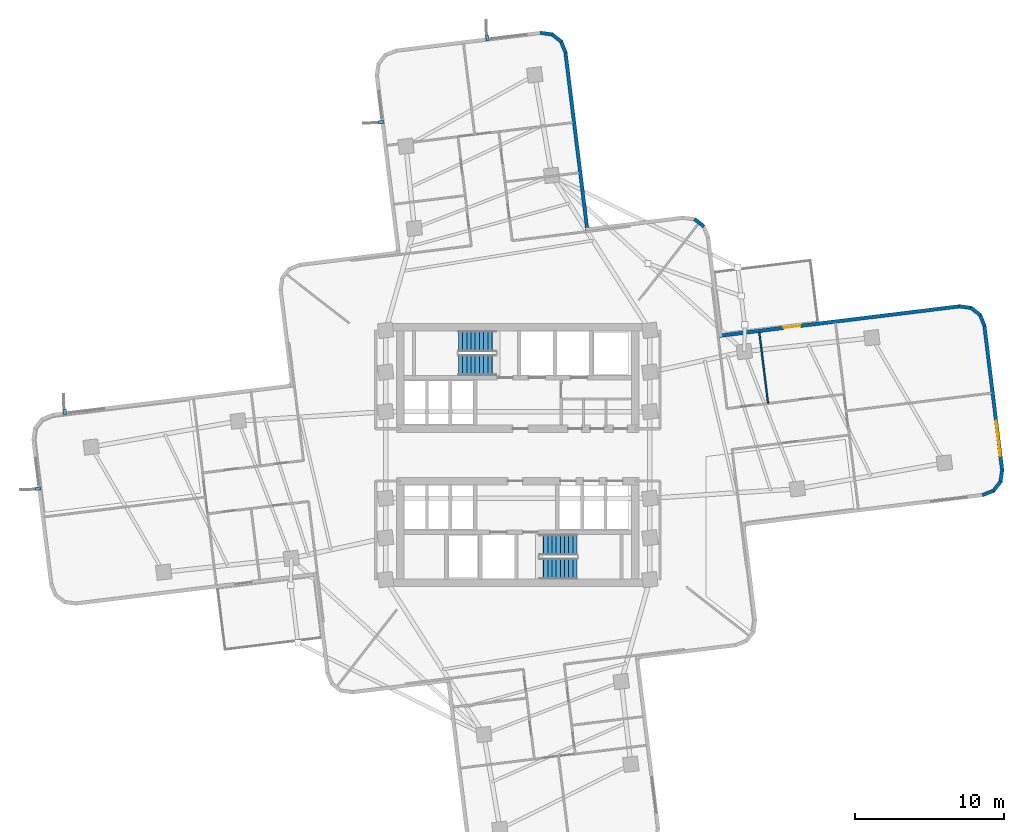
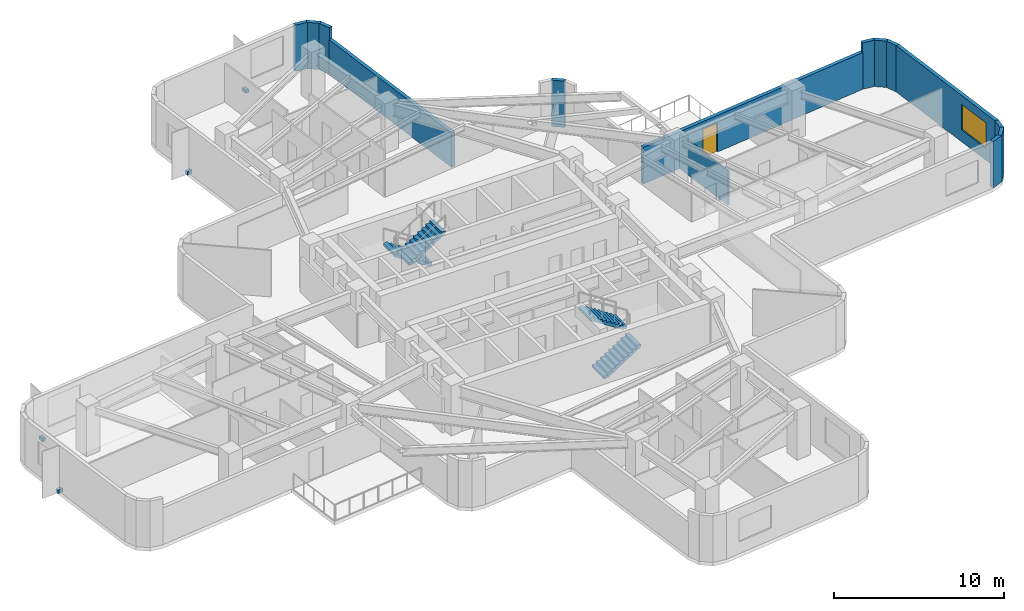
# One storey, part 6 of 9: 14 walls, 4 discrete accessories, 4 stair flights, 1 door, 1 window, 2 openings, 2 elements without a shape of their own.
"""IFC4 building model written with IfcOpenShell, lengths in metres."""

from ifc_helpers import new_model, si_unit, direction, frame, frame_2d, origin, origin_2d, place, context, subcontext, project, spatial, polyline, rectangle, outline, extrude, material, layer, layer_set, type_object, element, fill, aggregate, save


model = new_model("IFC4")

# Units and contexts
model_context = context("Model", 3, precision=1e-05, world=origin(), true_north=direction((0.0, 1.0)))
body_context = subcontext(model_context, "Body", "Model", "MODEL_VIEW")
ifc_project = project(units=[si_unit("LENGTHUNIT", "METRE"), si_unit("AREAUNIT", "SQUARE_METRE"), si_unit("VOLUMEUNIT", "CUBIC_METRE"), si_unit("PLANEANGLEUNIT", "RADIAN"), si_unit("MASSUNIT", "GRAM", prefix="KILO")], contexts=[model_context])

# Site, building, storey
site_placement = place(None, origin())
site = spatial("IfcSite", under=ifc_project, at=site_placement, CompositionType="ELEMENT")
building_placement = place(site_placement, origin())
building = spatial("IfcBuilding", under=site, at=building_placement, Name="Solmarez Civic Tower", CompositionType="ELEMENT")
storey_placement = place(building_placement, frame((0.0, 0.0, 78.47998046875)))
storey = spatial("IfcBuildingStorey", under=building, at=storey_placement, Name="L20", CompositionType="ELEMENT", Elevation=78.47998046875)

# Walls
ifc_material_1 = material(Name="Precast concrete C40/50", Category="concrete")
ifc_layer_1 = layer(ifc_material_1, 0.239990234375)
ifc_layer_set_1 = layer_set([ifc_layer_1], Name="Precast concrete C40/50")
wall_type_1 = type_object("IfcWallType", Name="WALL-EXT-240", PredefinedType="SOLIDWALL", material=ifc_layer_set_1)
wall_1_placement = place(storey_placement, frame((1.50390625, 28.280029296875, 0.0), z_axis=(0.0, 0.0, 1.0), x_axis=(0.990540037659, -0.137224027762, 0.0)))
element("IfcWall", 1, at=wall_1_placement, inside=storey, type_object=wall_type_1, Name="L20 Exterior Precast Wall 25", PredefinedType="SOLIDWALL", context=body_context, shape_type="SweptSolid", body=[
    extrude(rectangle(XDim=0.830810546875, YDim=0.239990234375, at=frame_2d((0.41552734375, 0.0))), origin(), (0.0, 0.0, 1.0), 3.340087890625),
])
wall_2_placement = place(storey_placement, frame((2.281982421875, 28.18408203125, 0.0), z_axis=(0.0, 0.0, 1.0), x_axis=(0.788415071083, -0.615143622001, 0.0)))
element("IfcWall", 2, at=wall_2_placement, inside=storey, type_object=wall_type_1, Name="L20 Exterior Precast Wall 26", PredefinedType="SOLIDWALL", context=body_context, shape_type="SweptSolid", body=[
    extrude(rectangle(XDim=0.814453125, YDim=0.239990234375, at=frame_2d((0.4072265625, 0.0))), origin(), (0.0, 0.0, 1.0), 3.340087890625),
])
wall_3_placement = place(storey_placement, frame((2.89501953125, 27.720947265625, 0.0), z_axis=(0.0, 0.0, 1.0), x_axis=(0.373927487679, -0.927457941881, 0.0)))
element("IfcWall", 3, at=wall_3_placement, inside=storey, type_object=wall_type_1, Name="L20 Exterior Precast Wall 27", PredefinedType="SOLIDWALL", context=body_context, shape_type="SweptSolid", body=[
    extrude(rectangle(XDim=0.8291015625, YDim=0.239990234375, at=frame_2d((0.41455078125, 0.0))), origin(), (0.0, 0.0, 1.0), 3.340087890625),
])
wall_4_placement = place(storey_placement, frame((3.193115234375, 27.0, 0.0), z_axis=(0.0, 0.0, 1.0), x_axis=(0.12189689255, -0.992542768644, 0.0)))
element("IfcWall", 4, at=wall_4_placement, inside=storey, type_object=wall_type_1, Name="L20 Exterior Precast Wall 28", PredefinedType="SOLIDWALL", context=body_context, shape_type="SweptSolid", body=[
    extrude(rectangle(XDim=12.0751953125, YDim=0.239990234375, at=frame_2d((6.03759765625, 0.0))), origin(), (0.0, 0.0, 1.0), 2.486083984375),
])
wall_5_placement = place(storey_placement, frame((11.83203125, 15.804931640625, 0.0), z_axis=(0.0, 0.0, 1.0), x_axis=(0.788996702001, -0.614397431824, 0.0)))
element("IfcWall", 5, at=wall_5_placement, inside=storey, type_object=wall_type_1, Name="L20 Exterior Precast Wall 33", PredefinedType="SOLIDWALL", context=body_context, shape_type="SweptSolid", body=[
    extrude(rectangle(XDim=0.813720703125, YDim=0.239990234375, at=frame_2d((0.40673828125, 0.0))), origin(), (0.0, 0.0, 1.0), 3.340087890625),
])

# Wall, opening, door
wall_6_placement = place(storey_placement, frame((13.4619140625, 7.97998046875, 0.0), z_axis=(0.0, 0.0, 1.0), x_axis=(0.992550299081, 0.121835560463, 0.0)))
wall_6 = element("IfcWall", 6, at=wall_6_placement, inside=storey, type_object=wall_type_1, Name="L20 Exterior Precast Wall 38", PredefinedType="SOLIDWALL", context=body_context, shape_type="SweptSolid", body=[
    extrude(rectangle(XDim=16.275390625, YDim=0.239990234375, at=frame_2d((8.1376953125, 0.0))), origin(), (0.0, 0.0, 1.0), 2.64404296875),
])
opening_1_placement = place(wall_6_placement, frame((4.39990234375, 0.0, 0.0)))
opening_1 = element("IfcOpeningElement", 7, at=opening_1_placement, cuts=wall_6, Name="Opening D-06", PredefinedType="OPENING", context=body_context, shape_type="SweptSolid", body=[
    extrude(rectangle(XDim=1.10009765625, YDim=2.10009765625, at=frame_2d((0.550048828125, 1.050048828125))), frame((0.0, 0.1298828125, 0.0), z_axis=(0.0, -1.0, 0.0), x_axis=(1.0, 0.0, 0.0)), (0.0, 0.0, 1.0), 0.260009765625),
])
ifc_material_2 = material(Name="Bronze Anodised Aluminium Glazed Terrace Door", Category="aluminium")
door_type = type_object("IfcDoorType", Name="DOOR-TERR-1100", OperationType="NOTDEFINED", PredefinedType="DOOR", material=ifc_material_2)
door_placement = place(opening_1_placement, origin())
door = element("IfcDoor", 8, at=door_placement, inside=storey, type_object=door_type, Name="L20 Outdoor Terrace Glazed Door", OperationType="SINGLE_SWING_RIGHT", OverallHeight=2.10009765625, OverallWidth=1.10009765625, PredefinedType="DOOR", context=body_context, shape_type="SweptSolid", body=[
    extrude(rectangle(XDim=1.10009765625, YDim=2.10009765625, at=frame_2d((0.550048828125, 1.050048828125))), frame((0.0, 0.02490234375, 0.0), z_axis=(0.0, -1.0, 0.0), x_axis=(1.0, 0.0, 0.0)), (0.0, 0.0, 1.0), 0.050048828125),
])
fill(opening_1, door)

# Walls
wall_7_placement = place(storey_placement, frame((29.56591796875, 9.962890625, 0.0), z_axis=(0.0, 0.0, 1.0), x_axis=(0.990579937989, -0.136935701899, 0.0)))
element("IfcWall", 9, at=wall_7_placement, inside=storey, type_object=wall_type_1, Name="L20 Exterior Precast Wall 39", PredefinedType="SOLIDWALL", context=body_context, shape_type="SweptSolid", body=[
    extrude(rectangle(XDim=0.830810546875, YDim=0.239990234375, at=frame_2d((0.41552734375, 0.0))), origin(), (0.0, 0.0, 1.0), 3.340087890625),
])
wall_8_placement = place(storey_placement, frame((30.343994140625, 9.866943359375, 0.0), z_axis=(0.0, 0.0, 1.0), x_axis=(0.788996702001, -0.614397431824, 0.0)))
element("IfcWall", 10, at=wall_8_placement, inside=storey, type_object=wall_type_1, Name="L20 Exterior Precast Wall 40", PredefinedType="SOLIDWALL", context=body_context, shape_type="SweptSolid", body=[
    extrude(rectangle(XDim=0.813720703125, YDim=0.239990234375, at=frame_2d((0.40673828125, 0.0))), origin(), (0.0, 0.0, 1.0), 3.340087890625),
])
wall_9_placement = place(storey_placement, frame((30.95703125, 9.405029296875, 0.0), z_axis=(0.0, 0.0, 1.0), x_axis=(0.373519459995, -0.927622343955, 0.0)))
element("IfcWall", 11, at=wall_9_placement, inside=storey, type_object=wall_type_1, Name="L20 Exterior Precast Wall 41", PredefinedType="SOLIDWALL", context=body_context, shape_type="SweptSolid", body=[
    extrude(rectangle(XDim=0.830078125, YDim=0.239990234375, at=frame_2d((0.4150390625, 0.0))), origin(), (0.0, 0.0, 1.0), 3.340087890625),
])

# Wall, opening, window
wall_10_placement = place(storey_placement, frame((31.2548828125, 8.68310546875, 0.0), z_axis=(0.0, 0.0, 1.0), x_axis=(0.12185728374, -0.992547632308, 0.0)))
wall_10 = element("IfcWall", 12, at=wall_10_placement, inside=storey, type_object=wall_type_1, Name="L20 Exterior Precast Wall 42", PredefinedType="SOLIDWALL", context=body_context, shape_type="SweptSolid", body=[
    extrude(rectangle(XDim=9.799072265625, YDim=0.239990234375, at=frame_2d((4.8994140625, 0.0))), origin(), (0.0, 0.0, 1.0), 3.340087890625),
])
opening_2_placement = place(wall_10_placement, frame((6.443115234375, 0.0, 0.85009765625)))
opening_2 = element("IfcOpeningElement", 13, at=opening_2_placement, cuts=wall_10, Name="Opening W-06", PredefinedType="OPENING", context=body_context, shape_type="SweptSolid", body=[
    extrude(rectangle(XDim=2.39990234375, YDim=1.85009765625, at=frame_2d((1.199951171875, 0.925048828125))), frame((0.0, 0.1298828125, 0.0), z_axis=(0.0, -1.0, 0.0), x_axis=(1.0, 0.0, 0.0)), (0.0, 0.0, 1.0), 0.260009765625),
])
ifc_material_3 = material(Name="Solar Control Bronze-Tinted Insulating Glass", Category="glass")
window_type = type_object("IfcWindowType", Name="WIN-2400X1850", PartitioningType="SINGLE_PANEL", PredefinedType="WINDOW", material=ifc_material_3)
window_placement = place(opening_2_placement, origin())
window = element("IfcWindow", 14, at=window_placement, inside=storey, type_object=window_type, Name="L20 Exterior Facade Window 42", OverallHeight=1.85009765625, OverallWidth=2.39990234375, PartitioningType="SINGLE_PANEL", PredefinedType="WINDOW", context=body_context, shape_type="SweptSolid", body=[
    extrude(rectangle(XDim=2.39990234375, YDim=1.85009765625, at=frame_2d((1.199951171875, 0.925048828125))), frame((0.0, 0.030029296875, 0.0), z_axis=(0.0, -1.0, 0.0), x_axis=(1.0, 0.0, 0.0)), (0.0, 0.0, 1.0), 0.06005859375),
])
fill(opening_2, window)

# Walls
wall_11_placement = place(storey_placement, frame((32.448974609375, -0.992919921875, 0.0), z_axis=(0.0, 0.0, 1.0), x_axis=(-0.138538220487, -0.990357087855, 0.0)))
element("IfcWall", 15, at=wall_11_placement, inside=storey, type_object=wall_type_1, Name="L20 Exterior Precast Wall 43", PredefinedType="SOLIDWALL", context=body_context, shape_type="SweptSolid", body=[
    extrude(rectangle(XDim=0.830078125, YDim=0.239990234375, at=frame_2d((0.4150390625, 0.0))), origin(), (0.0, 0.0, 1.0), 3.340087890625),
])
wall_12_placement = place(storey_placement, frame((32.35205078125, -1.77001953125, 0.0), z_axis=(0.0, 0.0, 1.0), x_axis=(-0.614397431824, -0.788996702001, 0.0)))
element("IfcWall", 16, at=wall_12_placement, inside=storey, type_object=wall_type_1, Name="L20 Exterior Precast Wall 44", PredefinedType="SOLIDWALL", context=body_context, shape_type="SweptSolid", body=[
    extrude(rectangle(XDim=0.813720703125, YDim=0.239990234375, at=frame_2d((0.40673828125, 0.0))), origin(), (0.0, 0.0, 1.0), 3.340087890625),
])
wall_13_placement = place(storey_placement, frame((31.889892578125, -2.383056640625, 0.0), z_axis=(0.0, 0.0, 1.0), x_axis=(-0.927007742151, -0.375042192283, 0.0)))
element("IfcWall", 17, at=wall_13_placement, inside=storey, type_object=wall_type_1, Name="L20 Exterior Precast Wall 45", PredefinedType="SOLIDWALL", context=body_context, shape_type="SweptSolid", body=[
    extrude(rectangle(XDim=0.829345703125, YDim=0.239990234375, at=frame_2d((0.41455078125, 0.0))), origin(), (0.0, 0.0, 1.0), 3.340087890625),
])
ifc_material_4 = material(Name="Gypsum Board Acoustic Steel-Stud Partition", Category="steel")
ifc_layer_2 = layer(ifc_material_4, 0.10009765625)
ifc_layer_set_2 = layer_set([ifc_layer_2], Name="Gypsum Board Acoustic Steel-Stud Partition")
wall_type_2 = type_object("IfcWallType", Name="WALL-INT-PART-100", PredefinedType="PARTITIONING", material=ifc_layer_set_2)
wall_14_placement = place(storey_placement, frame((16.761962890625, 3.468994140625, 0.0), z_axis=(0.0, 0.0, 1.0), x_axis=(-0.121797137196, 0.992555014783, 0.0)))
element("IfcWall", 18, at=wall_14_placement, inside=storey, type_object=wall_type_2, Name="L20 Interior Partition PT-L20-E-LM", PredefinedType="PARTITIONING", context=body_context, shape_type="SweptSolid", body=[
    extrude(rectangle(XDim=4.794677734375, YDim=0.10009765625, at=frame_2d((2.3974609375, 0.0))), origin(), (0.0, 0.0, 1.0), 2.486083984375),
])

# Stair, stair flights
ifc_material_5 = material(Name="Concrete C50/60", Category="concrete")
stair_type = type_object("IfcStairType", Name="STAIR-DOGLEG-140W-20R-1800", PredefinedType="HALF_TURN_STAIR", material=ifc_material_5)
stair_1_placement = place(storey_placement, origin())
stair_1 = element("IfcStair", 19, at=stair_1_placement, inside=storey, type_object=stair_type, Name="L20 North Core Protected Exit Stair ST-1", PredefinedType="HALF_TURN_STAIR")
stair_flight_type = type_object("IfcStairFlightType", Name="FLIGHT-DOGLEG-140W-10R-1800", PredefinedType="STRAIGHT", material=ifc_material_5)
stair_flight_1_placement = place(storey_placement, frame((-1.449951171875, 7.6201171875, 0.0), z_axis=(0.0, 0.0, 1.0), x_axis=(-1.0, 0.0, 0.0)))
stair_flight_1 = element("IfcStairFlight", 20, at=stair_flight_1_placement, type_object=stair_flight_type, Name="ST-1 flight 1", NumberOfRisers=10, NumberOfTreads=9, PredefinedType="STRAIGHT", RiserHeight=0.18, TreadLength=0.28, context=body_context, shape_type="SweptSolid", body=[
    extrude(outline(polyline([(0.0, 0.0), (0.0, 0.179931640625), (0.280029296875, 0.179931640625), (0.280029296875, 0.360107421875), (0.56005859375, 0.360107421875), (0.56005859375, 0.5400390625), (0.840087890625, 0.5400390625), (0.840087890625, 0.719970703125), (1.1201171875, 0.719970703125), (1.1201171875, 0.89990234375), (1.39990234375, 0.89990234375), (1.39990234375, 1.080078125), (1.679931640625, 1.080078125), (1.679931640625, 1.260009765625), (1.9599609375, 1.260009765625), (1.9599609375, 1.43994140625), (2.239990234375, 1.43994140625), (2.239990234375, 1.6201171875), (2.52001953125, 1.6201171875), (2.52001953125, 1.800048828125), (2.52001953125, 1.429931640625), (0.295654296875, 0.0), (0.0, 0.0)])), frame((0.0, 0.699951171875, 0.0), z_axis=(0.0, -1.0, 0.0), x_axis=(1.0, 0.0, 0.0)), (0.0, 0.0, 1.0), 1.39990234375),
])
stair_flight_2_placement = place(storey_placement, frame((-3.969970703125, 6.02001953125, 1.800048828125), z_axis=(0.0, 0.0, 1.0), x_axis=(1.0, 0.0, 0.0)))
stair_flight_2 = element("IfcStairFlight", 21, at=stair_flight_2_placement, type_object=stair_flight_type, Name="ST-1 flight 2", NumberOfRisers=10, NumberOfTreads=9, PredefinedType="STRAIGHT", RiserHeight=0.18, TreadLength=0.28, context=body_context, shape_type="SweptSolid", body=[
    extrude(outline(polyline([(0.0, 0.0), (0.0, 0.179931640625), (0.280029296875, 0.179931640625), (0.280029296875, 0.360107421875), (0.56005859375, 0.360107421875), (0.56005859375, 0.5400390625), (0.840087890625, 0.5400390625), (0.840087890625, 0.719970703125), (1.1201171875, 0.719970703125), (1.1201171875, 0.89990234375), (1.39990234375, 0.89990234375), (1.39990234375, 1.080078125), (1.679931640625, 1.080078125), (1.679931640625, 1.260009765625), (1.9599609375, 1.260009765625), (1.9599609375, 1.43994140625), (2.239990234375, 1.43994140625), (2.239990234375, 1.6201171875), (2.52001953125, 1.6201171875), (2.52001953125, 1.800048828125), (2.52001953125, 1.429931640625), (0.295654296875, 0.0), (0.0, 0.0)])), frame((0.0, 0.699951171875, 0.0), z_axis=(0.0, -1.0, 0.0), x_axis=(1.0, 0.0, 0.0)), (0.0, 0.0, 1.0), 1.39990234375),
])
aggregate(stair_1, [stair_flight_1, stair_flight_2])

stair_2_placement = place(storey_placement, origin())
stair_2 = element("IfcStair", 22, at=stair_2_placement, inside=storey, type_object=stair_type, Name="L20 South Core Protected Exit Stair ST-2", PredefinedType="HALF_TURN_STAIR")
stair_flight_3_placement = place(storey_placement, frame((1.449951171875, -7.6201171875, 0.0), z_axis=(0.0, 0.0, 1.0), x_axis=(1.0, 0.0, 0.0)))
stair_flight_3 = element("IfcStairFlight", 23, at=stair_flight_3_placement, type_object=stair_flight_type, Name="ST-2 flight 1", NumberOfRisers=10, NumberOfTreads=9, PredefinedType="STRAIGHT", RiserHeight=0.18, TreadLength=0.28, context=body_context, shape_type="SweptSolid", body=[
    extrude(outline(polyline([(0.0, 0.0), (0.0, 0.179931640625), (0.280029296875, 0.179931640625), (0.280029296875, 0.360107421875), (0.56005859375, 0.360107421875), (0.56005859375, 0.5400390625), (0.840087890625, 0.5400390625), (0.840087890625, 0.719970703125), (1.1201171875, 0.719970703125), (1.1201171875, 0.89990234375), (1.39990234375, 0.89990234375), (1.39990234375, 1.080078125), (1.679931640625, 1.080078125), (1.679931640625, 1.260009765625), (1.9599609375, 1.260009765625), (1.9599609375, 1.43994140625), (2.239990234375, 1.43994140625), (2.239990234375, 1.6201171875), (2.52001953125, 1.6201171875), (2.52001953125, 1.800048828125), (2.52001953125, 1.429931640625), (0.295654296875, 0.0), (0.0, 0.0)])), frame((0.0, 0.699951171875, 0.0), z_axis=(0.0, -1.0, 0.0), x_axis=(1.0, 0.0, 0.0)), (0.0, 0.0, 1.0), 1.39990234375),
])
stair_flight_4_placement = place(storey_placement, frame((3.969970703125, -6.02001953125, 1.800048828125), z_axis=(0.0, 0.0, 1.0), x_axis=(-1.0, 0.0, 0.0)))
stair_flight_4 = element("IfcStairFlight", 24, at=stair_flight_4_placement, type_object=stair_flight_type, Name="ST-2 flight 2", NumberOfRisers=10, NumberOfTreads=9, PredefinedType="STRAIGHT", RiserHeight=0.18, TreadLength=0.28, context=body_context, shape_type="SweptSolid", body=[
    extrude(outline(polyline([(0.0, 0.0), (0.0, 0.179931640625), (0.280029296875, 0.179931640625), (0.280029296875, 0.360107421875), (0.56005859375, 0.360107421875), (0.56005859375, 0.5400390625), (0.840087890625, 0.5400390625), (0.840087890625, 0.719970703125), (1.1201171875, 0.719970703125), (1.1201171875, 0.89990234375), (1.39990234375, 0.89990234375), (1.39990234375, 1.080078125), (1.679931640625, 1.080078125), (1.679931640625, 1.260009765625), (1.9599609375, 1.260009765625), (1.9599609375, 1.43994140625), (2.239990234375, 1.43994140625), (2.239990234375, 1.6201171875), (2.52001953125, 1.6201171875), (2.52001953125, 1.800048828125), (2.52001953125, 1.429931640625), (0.295654296875, 0.0), (0.0, 0.0)])), frame((0.0, 0.699951171875, 0.0), z_axis=(0.0, -1.0, 0.0), x_axis=(1.0, 0.0, 0.0)), (0.0, 0.0, 1.0), 1.39990234375),
])
aggregate(stair_2, [stair_flight_3, stair_flight_4])

# Discrete accessories
ifc_material_6 = material(Name="Stainless Steel Grade 1.4401", Category="steel")
discrete_accessory_type = type_object("IfcDiscreteAccessoryType", Name="BRACKET-SS-FIN", PredefinedType="BRACKET", material=ifc_material_6)
for number, where, z_axis, x_axis, name in (
    (25, (-32.1259765625, -2.248046875, -0.06005859375), (0.0, 0.0, 1.0), (-0.992546938425, -0.121862935396, 0.0), "L20 Stainless Fin Support Bracket FIN-L20-01"),
    (26, (-30.3349609375, 2.864990234375, -0.06005859375), (0.0, 0.0, 1.0), (-0.121824968646, 0.99255159917, 0.0), "L20 Stainless Fin Support Bracket FIN-L20-02"),
    (27, (-9.14697265625, 22.31103515625, -0.06005859375), (0.0, 0.0, 1.0), (-0.992544520561, -0.121882626753, 0.0), "L20 Stainless Fin Support Bracket FIN-L20-03"),
    (28, (-2.034912109375, 27.919921875, -0.06005859375), (0.0, 0.0, 1.0), (-0.121875343968, 0.992545414846, 0.0), "L20 Stainless Fin Support Bracket FIN-L20-04"),
):
    element("IfcDiscreteAccessory", number, at=place(storey_placement, frame(where, z_axis=z_axis, x_axis=x_axis)), inside=storey, type_object=discrete_accessory_type, Name=name, PredefinedType="BRACKET", context=body_context, shape_type="SweptSolid", body=[
        extrude(rectangle(XDim=0.360107421875, YDim=0.219970703125, at=origin_2d()), origin(), (0.0, 0.0, 1.0), 0.239990234375),
    ])

save(model, "model.ifc")
